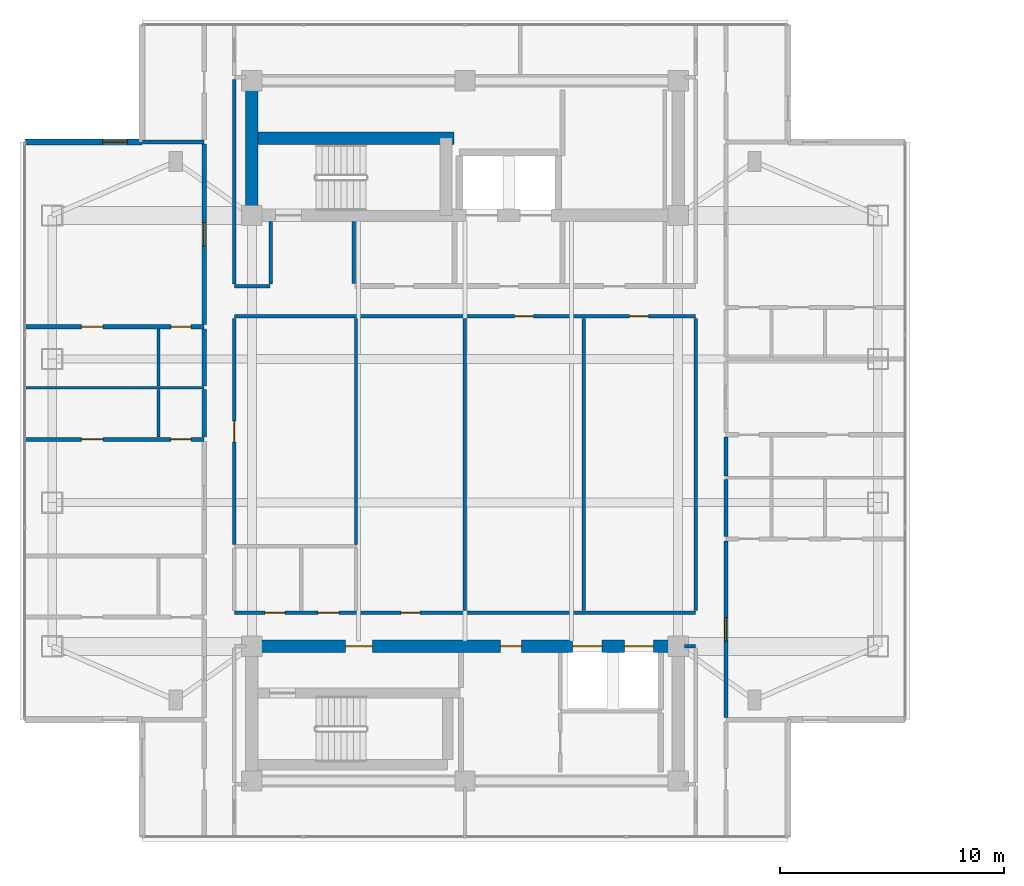
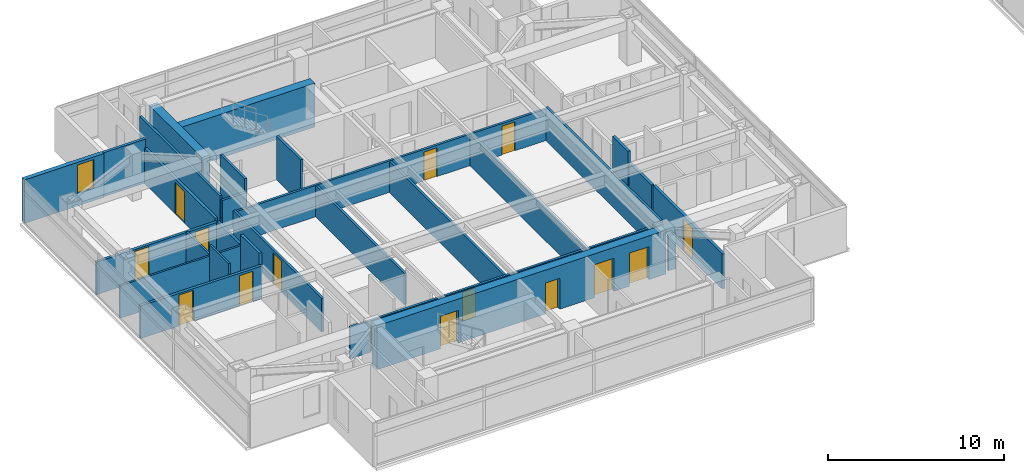
# One storey, part 13 of 24: 28 walls, 16 doors, 1 window, 17 openings.
"""IFC4 building model written with IfcOpenShell, lengths in metres."""

from ifc_helpers import new_model, si_unit, direction, frame, frame_2d, origin, place, context, subcontext, project, spatial, rectangle, extrude, material, layer, layer_set, type_object, element, fill, save


model = new_model("IFC4")

# Units and contexts
model_context = context("Model", 3, precision=1e-05, world=origin(), true_north=direction((0.0, 1.0)))
body_context = subcontext(model_context, "Body", "Model", "MODEL_VIEW")
ifc_project = project(units=[si_unit("LENGTHUNIT", "METRE"), si_unit("AREAUNIT", "SQUARE_METRE"), si_unit("VOLUMEUNIT", "CUBIC_METRE"), si_unit("PLANEANGLEUNIT", "RADIAN"), si_unit("MASSUNIT", "GRAM", prefix="KILO")], contexts=[model_context])

# Site, building, storey
site_placement = place(None, origin())
site = spatial("IfcSite", under=ifc_project, at=site_placement, CompositionType="ELEMENT")
building_placement = place(site_placement, origin())
building = spatial("IfcBuilding", under=site, at=building_placement, Name="Mirazonda Arch Towers", CompositionType="ELEMENT")
storey_placement = place(building_placement, frame((0.0, 0.0, 186.89990234375)))
storey = spatial("IfcBuildingStorey", under=building, at=storey_placement, Name="L53", CompositionType="ELEMENT", Elevation=186.89990234375)

# Walls
ifc_material_1 = material(Name="Concrete C50/60", Category="concrete")
ifc_layer_1 = layer(ifc_material_1, 0.550048828125, Name="WALL-CORE-550")
ifc_layer_set_1 = layer_set([ifc_layer_1], Name="Concrete C50/60")
wall_type_1 = type_object("IfcWallType", Name="WALL-CORE-550", PredefinedType="SHEAR", material=ifc_layer_set_1)
wall_1_placement = place(storey_placement, frame((11.0, 37.60009765625, 0.0), z_axis=(0.0, 0.0, 1.0), x_axis=(0.0, 1.0, 0.0)))
element("IfcWall", 1, at=wall_1_placement, inside=storey, type_object=wall_type_1, Name="L53 T1N-W Core Shear Wall", PredefinedType="SHEAR", context=body_context, shape_type="SweptSolid", body=[
    extrude(rectangle(XDim=6.0, YDim=0.550048828125, at=frame_2d((3.0, 0.0))), origin(), (0.0, 0.0, 1.0), 3.050048828125),
])
wall_2_placement = place(storey_placement, frame((11.0, 41.04296875, 0.0), z_axis=(0.0, 0.0, 1.0), x_axis=(1.0, 0.0, 0.0)))
element("IfcWall", 2, at=wall_2_placement, inside=storey, type_object=wall_type_1, Name="L53 T1N-STN Core Shear Wall", PredefinedType="SHEAR", context=body_context, shape_type="SweptSolid", body=[
    extrude(rectangle(XDim=9.0, YDim=0.550048828125, at=frame_2d((4.5, 0.0))), origin(), (0.0, 0.0, 1.0), 3.050048828125),
])

# Wall, openings, doors
wall_3_placement = place(storey_placement, frame((11.0, 18.39990234375, 0.0), z_axis=(0.0, 0.0, 1.0), x_axis=(1.0, 0.0, 0.0)))
wall_3 = element("IfcWall", 3, at=wall_3_placement, inside=storey, type_object=wall_type_1, Name="L53 T1S-N Core Shear Wall", PredefinedType="SHEAR", context=body_context, shape_type="SweptSolid", body=[
    extrude(rectangle(XDim=19.0, YDim=0.550048828125, at=frame_2d((9.5, 0.0))), origin(), (0.0, 0.0, 1.0), 3.050048828125),
])
opening_1_placement = place(wall_3_placement, frame((4.175048828125, 0.0, 0.0)))
opening_1 = element("IfcOpeningElement", 4, at=opening_1_placement, cuts=wall_3, Name="Opening DR-117", PredefinedType="OPENING", context=body_context, shape_type="SweptSolid", body=[
    extrude(rectangle(XDim=1.199951171875, YDim=2.25, at=frame_2d((0.60009765625, 1.125))), frame((0.0, 0.284912109375, 0.0), z_axis=(0.0, -1.0, 0.0), x_axis=(1.0, 0.0, 0.0)), (0.0, 0.0, 1.0), 0.570068359375),
])
opening_2_placement = place(wall_3_placement, frame((11.074951171875, 0.0, 0.0)))
opening_2 = element("IfcOpeningElement", 5, at=opening_2_placement, cuts=wall_3, Name="Opening DR-104", PredefinedType="OPENING", context=body_context, shape_type="SweptSolid", body=[
    extrude(rectangle(XDim=0.949951171875, YDim=2.14990234375, at=frame_2d((0.47509765625, 1.074951171875))), frame((0.0, 0.284912109375, 0.0), z_axis=(0.0, -1.0, 0.0), x_axis=(1.0, 0.0, 0.0)), (0.0, 0.0, 1.0), 0.570068359375),
])
opening_3_placement = place(wall_3_placement, frame((14.300048828125, 0.0, 0.0)))
opening_3 = element("IfcOpeningElement", 6, at=opening_3_placement, cuts=wall_3, Name="Opening LD-111", PredefinedType="OPENING", context=body_context, shape_type="SweptSolid", body=[
    extrude(rectangle(XDim=1.300048828125, YDim=2.300048828125, at=frame_2d((0.64990234375, 1.14990234375))), frame((0.0, 0.284912109375, 0.0), z_axis=(0.0, -1.0, 0.0), x_axis=(1.0, 0.0, 0.0)), (0.0, 0.0, 1.0), 0.570068359375),
])
opening_4_placement = place(wall_3_placement, frame((16.60009765625, 0.0, 0.0)))
opening_4 = element("IfcOpeningElement", 7, at=opening_4_placement, cuts=wall_3, Name="Opening LD-111", PredefinedType="OPENING", context=body_context, shape_type="SweptSolid", body=[
    extrude(rectangle(XDim=1.300048828125, YDim=2.300048828125, at=frame_2d((0.64990234375, 1.14990234375))), frame((0.0, 0.284912109375, 0.0), z_axis=(0.0, -1.0, 0.0), x_axis=(1.0, 0.0, 0.0)), (0.0, 0.0, 1.0), 0.570068359375),
])
ifc_material_2 = material(Name="Architectural Brushed Steel S355", Category="steel")
door_type_1 = type_object("IfcDoorType", Name="DOOR-FFL-FD90-1200", OperationType="NOTDEFINED", PredefinedType="DOOR", material=ifc_material_2)
door_1_placement = place(opening_1_placement, origin())
door_1 = element("IfcDoor", 8, at=door_1_placement, inside=storey, type_object=door_type_1, Name="L53 South Core Stair & Lift Lobby Door", OperationType="SINGLE_SWING_LEFT", OverallHeight=2.25, OverallWidth=1.199951171875, PredefinedType="DOOR", context=body_context, shape_type="SweptSolid", body=[
    extrude(rectangle(XDim=1.199951171875, YDim=2.25, at=frame_2d((0.60009765625, 1.125))), frame((0.0, 0.02490234375, 0.0), z_axis=(0.0, -1.0, 0.0), x_axis=(1.0, 0.0, 0.0)), (0.0, 0.0, 1.0), 0.050048828125),
])
fill(opening_1, door_1)
door_type_2 = type_object("IfcDoorType", Name="DOOR-LIFT-LAND-1300", OperationType="NOTDEFINED", PredefinedType="DOOR", material=ifc_material_2)
door_2_placement = place(opening_3_placement, origin())
door_2 = element("IfcDoor", 9, at=door_2_placement, inside=storey, type_object=door_type_2, Name="L53 Lift Landing Sliding Door PL-T1H1", OperationType="DOUBLE_DOOR_SLIDING", OverallHeight=2.300048828125, OverallWidth=1.300048828125, PredefinedType="DOOR", context=body_context, shape_type="SweptSolid", body=[
    extrude(rectangle(XDim=1.300048828125, YDim=2.300048828125, at=frame_2d((0.64990234375, 1.14990234375))), frame((0.0, 0.02490234375, 0.0), z_axis=(0.0, -1.0, 0.0), x_axis=(1.0, 0.0, 0.0)), (0.0, 0.0, 1.0), 0.050048828125),
])
fill(opening_3, door_2)
door_3_placement = place(opening_4_placement, origin())
door_3 = element("IfcDoor", 10, at=door_3_placement, inside=storey, type_object=door_type_2, Name="L53 Lift Landing Sliding Door PL-T1H2", OperationType="DOUBLE_DOOR_SLIDING", OverallHeight=2.300048828125, OverallWidth=1.300048828125, PredefinedType="DOOR", context=body_context, shape_type="SweptSolid", body=[
    extrude(rectangle(XDim=1.300048828125, YDim=2.300048828125, at=frame_2d((0.64990234375, 1.14990234375))), frame((0.0, 0.02490234375, 0.0), z_axis=(0.0, -1.0, 0.0), x_axis=(1.0, 0.0, 0.0)), (0.0, 0.0, 1.0), 0.050048828125),
])
fill(opening_4, door_3)
door_type_3 = type_object("IfcDoorType", Name="DOOR-ROOM-950", OperationType="NOTDEFINED", PredefinedType="DOOR", material=ifc_material_2)
door_4_placement = place(opening_2_placement, origin())
door_4 = element("IfcDoor", 11, at=door_4_placement, inside=storey, type_object=door_type_3, Name="L53 Residents Wine Tasting Lounge Door", OperationType="SINGLE_SWING_LEFT", OverallHeight=2.14990234375, OverallWidth=0.949951171875, PredefinedType="DOOR", context=body_context, shape_type="SweptSolid", body=[
    extrude(rectangle(XDim=0.949951171875, YDim=2.14990234375, at=frame_2d((0.47509765625, 1.074951171875))), frame((0.0, 0.02490234375, 0.0), z_axis=(0.0, -1.0, 0.0), x_axis=(1.0, 0.0, 0.0)), (0.0, 0.0, 1.0), 0.050048828125),
])
fill(opening_2, door_4)

# Wall, opening, window
ifc_material_3 = material(Name="Precast Concrete C40/50", Category="concrete")
ifc_layer_2 = layer(ifc_material_3, 0.280029296875, Name="WALL-EXT-WALL-280")
ifc_layer_set_2 = layer_set([ifc_layer_2], Name="Precast Concrete C40/50")
wall_type_2 = type_object("IfcWallType", Name="WALL-EXT-WALL-280", PredefinedType="SOLIDWALL", material=ifc_layer_set_2)
wall_4_placement = place(storey_placement, frame((6.10498046875, 40.873046875, 0.0), z_axis=(0.0, 0.0, 1.0), x_axis=(-1.0, 0.0, 0.0)))
wall_4 = element("IfcWall", 12, at=wall_4_placement, inside=storey, type_object=wall_type_2, Name="L53 T1 Corner Notch Return Wall WL-L53-T1-CNW1", PredefinedType="SOLIDWALL", context=body_context, shape_type="SweptSolid", body=[
    extrude(rectangle(XDim=5.215087890625, YDim=0.280029296875, at=frame_2d((2.607421875, 0.0))), origin(), (0.0, 0.0, 1.0), 3.030029296875),
])
opening_5_placement = place(wall_4_placement, frame((0.64990234375, 0.0, 0.85009765625)))
opening_5 = element("IfcOpeningElement", 13, at=opening_5_placement, cuts=wall_4, Name="Opening WN-108", PredefinedType="OPENING", context=body_context, shape_type="SweptSolid", body=[
    extrude(rectangle(XDim=1.10009765625, YDim=2.0, at=frame_2d((0.550048828125, 1.0))), frame((0.0, 0.14990234375, 0.0), z_axis=(0.0, -1.0, 0.0), x_axis=(1.0, 0.0, 0.0)), (0.0, 0.0, 1.0), 0.300048828125),
])
ifc_material_4 = material(Name="Insulated Low-E Solar Glass", Category="glass")
window_type = type_object("IfcWindowType", Name="WIN-NOTCH-1100x2000", PartitioningType="SINGLE_PANEL", PredefinedType="WINDOW", material=ifc_material_4)
window_placement = place(opening_5_placement, origin())
window = element("IfcWindow", 14, at=window_placement, inside=storey, type_object=window_type, Name="L53 Punched Facade Window WN-L53-T1-CNW1", OverallHeight=2.0, OverallWidth=1.10009765625, PartitioningType="SINGLE_PANEL", PredefinedType="WINDOW", context=body_context, shape_type="SweptSolid", body=[
    extrude(rectangle(XDim=1.10009765625, YDim=2.0, at=frame_2d((0.550048828125, 1.0))), frame((0.0, 0.030029296875, 0.0), z_axis=(0.0, -1.0, 0.0), x_axis=(1.0, 0.0, 0.0)), (0.0, 0.0, 1.0), 0.06005859375),
])
fill(opening_5, window)

# Wall
ifc_material_5 = material(Name="Fire-Rated Gypsum Stud Partition")
ifc_layer_3 = layer(ifc_material_5, 0.14990234375, Name="WALL-PART-CORR-150")
ifc_layer_set_3 = layer_set([ifc_layer_3], Name="Fire-Rated Gypsum Stud Partition")
wall_type_3 = type_object("IfcWallType", Name="WALL-PART-CORR-150", PredefinedType="PARTITIONING", material=ifc_layer_set_3)
wall_5_placement = place(storey_placement, frame((30.27001953125, 18.39990234375, 0.0), z_axis=(0.0, 0.0, 1.0), x_axis=(1.0, 0.0, 0.0)))
element("IfcWall", 15, at=wall_5_placement, inside=storey, type_object=wall_type_3, Name="L53 Interior Partition 012", PredefinedType="PARTITIONING", context=body_context, shape_type="SweptSolid", body=[
    extrude(rectangle(XDim=0.510009765625, YDim=0.14990234375, at=frame_2d((0.2548828125, 0.0))), origin(), (0.0, 0.0, 1.0), 2.442138671875),
])

# Wall, openings, doors
wall_6_placement = place(storey_placement, frame((10.219970703125, 19.89990234375, 0.0), z_axis=(0.0, 0.0, 1.0), x_axis=(1.0, 0.0, 0.0)))
wall_6 = element("IfcWall", 16, at=wall_6_placement, inside=storey, type_object=wall_type_3, Name="L53 Interior Partition 015", PredefinedType="PARTITIONING", context=body_context, shape_type="SweptSolid", body=[
    extrude(rectangle(XDim=20.56005859375, YDim=0.14990234375, at=frame_2d((10.280029296875, 0.0))), origin(), (0.0, 0.0, 1.0), 2.18603515625),
])
opening_6_placement = place(wall_6_placement, frame((1.360107421875, 0.0, 0.0)))
opening_6 = element("IfcOpeningElement", 17, at=opening_6_placement, cuts=wall_6, Name="Opening DR-120", PredefinedType="OPENING", context=body_context, shape_type="SweptSolid", body=[
    extrude(rectangle(XDim=0.89990234375, YDim=2.10009765625, at=frame_2d((0.449951171875, 1.050048828125))), frame((0.0, 0.0849609375, 0.0), z_axis=(0.0, -1.0, 0.0), x_axis=(1.0, 0.0, 0.0)), (0.0, 0.0, 1.0), 0.169921875),
])
opening_7_placement = place(wall_6_placement, frame((3.72509765625, 0.0, 0.0)))
opening_7 = element("IfcOpeningElement", 18, at=opening_7_placement, cuts=wall_6, Name="Opening DR-104", PredefinedType="OPENING", context=body_context, shape_type="SweptSolid", body=[
    extrude(rectangle(XDim=0.949951171875, YDim=2.14990234375, at=frame_2d((0.47509765625, 1.074951171875))), frame((0.0, 0.0849609375, 0.0), z_axis=(0.0, -1.0, 0.0), x_axis=(1.0, 0.0, 0.0)), (0.0, 0.0, 1.0), 0.169921875),
])
opening_8_placement = place(wall_6_placement, frame((7.41748046875, 0.0, 0.0)))
opening_8 = element("IfcOpeningElement", 19, at=opening_8_placement, cuts=wall_6, Name="Opening DR-128", PredefinedType="OPENING", context=body_context, shape_type="SweptSolid", body=[
    extrude(rectangle(XDim=0.85009765625, YDim=2.010009765625, at=frame_2d((0.425048828125, 1.0048828125))), frame((0.0, 0.0849609375, 0.0), z_axis=(0.0, -1.0, 0.0), x_axis=(1.0, 0.0, 0.0)), (0.0, 0.0, 1.0), 0.169921875),
])
door_type_4 = type_object("IfcDoorType", Name="DOOR-RISER-FD60-850", OperationType="NOTDEFINED", PredefinedType="DOOR", material=ifc_material_2)
door_5_placement = place(opening_8_placement, origin())
door_5 = element("IfcDoor", 20, at=door_5_placement, inside=storey, type_object=door_type_4, Name="L53 Residents Private Library Door", OperationType="SINGLE_SWING_RIGHT", OverallHeight=2.010009765625, OverallWidth=0.85009765625, PredefinedType="DOOR", context=body_context, shape_type="SweptSolid", body=[
    extrude(rectangle(XDim=0.85009765625, YDim=2.010009765625, at=frame_2d((0.425048828125, 1.0048828125))), frame((0.0, 0.02490234375, 0.0), z_axis=(0.0, -1.0, 0.0), x_axis=(1.0, 0.0, 0.0)), (0.0, 0.0, 1.0), 0.050048828125),
])
fill(opening_8, door_5)
door_6_placement = place(opening_7_placement, origin())
door_6 = element("IfcDoor", 21, at=door_6_placement, inside=storey, type_object=door_type_3, Name="L53 L53 West Courtyard Study Door", OperationType="SINGLE_SWING_RIGHT", OverallHeight=2.14990234375, OverallWidth=0.949951171875, PredefinedType="DOOR", context=body_context, shape_type="SweptSolid", body=[
    extrude(rectangle(XDim=0.949951171875, YDim=2.14990234375, at=frame_2d((0.47509765625, 1.074951171875))), frame((0.0, 0.02490234375, 0.0), z_axis=(0.0, -1.0, 0.0), x_axis=(1.0, 0.0, 0.0)), (0.0, 0.0, 1.0), 0.050048828125),
])
fill(opening_7, door_6)
door_type_5 = type_object("IfcDoorType", Name="DOOR-WC-900", OperationType="NOTDEFINED", PredefinedType="DOOR", material=ifc_material_2)
door_7_placement = place(opening_6_placement, origin())
door_7 = element("IfcDoor", 22, at=door_7_placement, inside=storey, type_object=door_type_5, Name="L53 Common Accessible WC Door", OperationType="SINGLE_SWING_LEFT", OverallHeight=2.10009765625, OverallWidth=0.89990234375, PredefinedType="DOOR", context=body_context, shape_type="SweptSolid", body=[
    extrude(rectangle(XDim=0.89990234375, YDim=2.10009765625, at=frame_2d((0.449951171875, 1.050048828125))), frame((0.0, 0.02490234375, 0.0), z_axis=(0.0, -1.0, 0.0), x_axis=(1.0, 0.0, 0.0)), (0.0, 0.0, 1.0), 0.050048828125),
])
fill(opening_6, door_7)

wall_7_placement = place(storey_placement, frame((10.219970703125, 33.10009765625, 0.0), z_axis=(0.0, 0.0, 1.0), x_axis=(1.0, 0.0, 0.0)))
wall_7 = element("IfcWall", 23, at=wall_7_placement, inside=storey, type_object=wall_type_3, Name="L53 Interior Partition 046", PredefinedType="PARTITIONING", context=body_context, shape_type="SweptSolid", body=[
    extrude(rectangle(XDim=20.56005859375, YDim=0.14990234375, at=frame_2d((10.280029296875, 0.0))), origin(), (0.0, 0.0, 1.0), 2.18603515625),
])
opening_9_placement = place(wall_7_placement, frame((12.489501953125, 0.0, 0.0)))
opening_9 = element("IfcOpeningElement", 24, at=opening_9_placement, cuts=wall_7, Name="Opening DR-128", PredefinedType="OPENING", context=body_context, shape_type="SweptSolid", body=[
    extrude(rectangle(XDim=0.85009765625, YDim=2.010009765625, at=frame_2d((0.425048828125, 1.0048828125))), frame((0.0, 0.0849609375, 0.0), z_axis=(0.0, -1.0, 0.0), x_axis=(1.0, 0.0, 0.0)), (0.0, 0.0, 1.0), 0.169921875),
])
opening_10_placement = place(wall_7_placement, frame((17.616943359375, 0.0, 0.0)))
opening_10 = element("IfcOpeningElement", 25, at=opening_10_placement, cuts=wall_7, Name="Opening DR-128", PredefinedType="OPENING", context=body_context, shape_type="SweptSolid", body=[
    extrude(rectangle(XDim=0.85009765625, YDim=2.010009765625, at=frame_2d((0.425048828125, 1.0048828125))), frame((0.0, 0.0849609375, 0.0), z_axis=(0.0, -1.0, 0.0), x_axis=(1.0, 0.0, 0.0)), (0.0, 0.0, 1.0), 0.169921875),
])
door_8_placement = place(opening_9_placement, origin())
door_8 = element("IfcDoor", 26, at=door_8_placement, inside=storey, type_object=door_type_4, Name="L53 Private Dining Room Door", OperationType="SINGLE_SWING_LEFT", OverallHeight=2.010009765625, OverallWidth=0.85009765625, PredefinedType="DOOR", context=body_context, shape_type="SweptSolid", body=[
    extrude(rectangle(XDim=0.85009765625, YDim=2.010009765625, at=frame_2d((0.425048828125, 1.0048828125))), frame((0.0, 0.02490234375, 0.0), z_axis=(0.0, -1.0, 0.0), x_axis=(1.0, 0.0, 0.0)), (0.0, 0.0, 1.0), 0.050048828125),
])
fill(opening_9, door_8)
door_9_placement = place(opening_10_placement, origin())
door_9 = element("IfcDoor", 27, at=door_9_placement, inside=storey, type_object=door_type_4, Name="L53 Collectors Gallery Study Door", OperationType="SINGLE_SWING_RIGHT", OverallHeight=2.010009765625, OverallWidth=0.85009765625, PredefinedType="DOOR", context=body_context, shape_type="SweptSolid", body=[
    extrude(rectangle(XDim=0.85009765625, YDim=2.010009765625, at=frame_2d((0.425048828125, 1.0048828125))), frame((0.0, 0.02490234375, 0.0), z_axis=(0.0, -1.0, 0.0), x_axis=(1.0, 0.0, 0.0)), (0.0, 0.0, 1.0), 0.050048828125),
])
fill(opening_10, door_9)

# Wall
wall_8_placement = place(storey_placement, frame((10.219970703125, 34.449951171875, 0.0), z_axis=(0.0, 0.0, 1.0), x_axis=(1.0, 0.0, 0.0)))
element("IfcWall", 28, at=wall_8_placement, inside=storey, type_object=wall_type_3, Name="L53 Interior Partition 048", PredefinedType="PARTITIONING", context=body_context, shape_type="SweptSolid", body=[
    extrude(rectangle(XDim=1.580078125, YDim=0.14990234375, at=frame_2d((0.7900390625, 0.0))), origin(), (0.0, 0.0, 1.0), 2.18603515625),
])

# Wall, opening, door
wall_9_placement = place(storey_placement, frame((10.219970703125, 22.93505859375, 0.0), z_axis=(0.0, 0.0, 1.0), x_axis=(0.0, 1.0, 0.0)))
wall_9 = element("IfcWall", 29, at=wall_9_placement, inside=storey, type_object=wall_type_3, Name="L53 Interior Partition 075", PredefinedType="PARTITIONING", context=body_context, shape_type="SweptSolid", body=[
    extrude(rectangle(XDim=10.079833984375, YDim=0.14990234375, at=frame_2d((5.0400390625, 0.0))), origin(), (0.0, 0.0, 1.0), 2.34619140625),
])
opening_11_placement = place(wall_9_placement, frame((4.56494140625, 0.0, 0.0)))
opening_11 = element("IfcOpeningElement", 30, at=opening_11_placement, cuts=wall_9, Name="Opening DR-104", PredefinedType="OPENING", context=body_context, shape_type="SweptSolid", body=[
    extrude(rectangle(XDim=0.949951171875, YDim=2.14990234375, at=frame_2d((0.47509765625, 1.074951171875))), frame((0.0, 0.0849609375, 0.0), z_axis=(0.0, -1.0, 0.0), x_axis=(1.0, 0.0, 0.0)), (0.0, 0.0, 1.0), 0.169921875),
])
door_10_placement = place(opening_11_placement, origin())
door_10 = element("IfcDoor", 31, at=door_10_placement, inside=storey, type_object=door_type_3, Name="L53 L53 West Courtyard Salon Door", OperationType="SINGLE_SWING_LEFT", OverallHeight=2.14990234375, OverallWidth=0.949951171875, PredefinedType="DOOR", context=body_context, shape_type="SweptSolid", body=[
    extrude(rectangle(XDim=0.949951171875, YDim=2.14990234375, at=frame_2d((0.47509765625, 1.074951171875))), frame((0.0, 0.02490234375, 0.0), z_axis=(0.0, -1.0, 0.0), x_axis=(1.0, 0.0, 0.0)), (0.0, 0.0, 1.0), 0.050048828125),
])
fill(opening_11, door_10)

# Walls
wall_10_placement = place(storey_placement, frame((10.219970703125, 34.534912109375, 0.0), z_axis=(0.0, 0.0, 1.0), x_axis=(0.0, 1.0, 0.0)))
element("IfcWall", 32, at=wall_10_placement, inside=storey, type_object=wall_type_3, Name="L53 Interior Partition 076", PredefinedType="PARTITIONING", context=body_context, shape_type="SweptSolid", body=[
    extrude(rectangle(XDim=9.130126953125, YDim=0.14990234375, at=frame_2d((4.56494140625, 0.0))), origin(), (0.0, 0.0, 1.0), 2.442138671875),
])
wall_11_placement = place(storey_placement, frame((11.85009765625, 34.534912109375, 0.0), z_axis=(0.0, 0.0, 1.0), x_axis=(0.0, 1.0, 0.0)))
element("IfcWall", 33, at=wall_11_placement, inside=storey, type_object=wall_type_3, Name="L53 Interior Partition 078", PredefinedType="PARTITIONING", context=body_context, shape_type="SweptSolid", body=[
    extrude(rectangle(XDim=2.795166015625, YDim=0.14990234375, at=frame_2d((1.3974609375, 0.0))), origin(), (0.0, 0.0, 1.0), 3.050048828125),
])
wall_12_placement = place(storey_placement, frame((15.639892578125, 22.93505859375, 0.0), z_axis=(0.0, 0.0, 1.0), x_axis=(0.0, 1.0, 0.0)))
element("IfcWall", 34, at=wall_12_placement, inside=storey, type_object=wall_type_3, Name="L53 Interior Partition 081", PredefinedType="PARTITIONING", context=body_context, shape_type="SweptSolid", body=[
    extrude(rectangle(XDim=10.079833984375, YDim=0.14990234375, at=frame_2d((5.0400390625, 0.0))), origin(), (0.0, 0.0, 1.0), 2.18603515625),
])
wall_13_placement = place(storey_placement, frame((15.550048828125, 34.570068359375, 0.0), z_axis=(0.0, 0.0, 1.0), x_axis=(0.0, 1.0, 0.0)))
element("IfcWall", 35, at=wall_13_placement, inside=storey, type_object=wall_type_3, Name="L53 Interior Partition 082", PredefinedType="PARTITIONING", context=body_context, shape_type="SweptSolid", body=[
    extrude(rectangle(XDim=2.760009765625, YDim=0.14990234375, at=frame_2d((1.3798828125, 0.0))), origin(), (0.0, 0.0, 1.0), 3.050048828125),
])
for number, where, z_axis, x_axis, name in (
    (36, (20.485107421875, 19.985107421875, 0.0), (0.0, 0.0, 1.0), (0.0, 1.0, 0.0), "L53 Interior Partition 089"),
    (37, (25.783935546875, 19.985107421875, 0.0), (0.0, 0.0, 1.0), (0.0, 1.0, 0.0), "L53 Interior Partition 096"),
):
    element("IfcWall", number, at=place(storey_placement, frame(where, z_axis=z_axis, x_axis=x_axis)), inside=storey, type_object=wall_type_3, Name=name, PredefinedType="PARTITIONING", context=body_context, shape_type="SweptSolid", body=[
        extrude(rectangle(XDim=13.02978515625, YDim=0.14990234375, at=frame_2d((6.514892578125, 0.0))), origin(), (0.0, 0.0, 1.0), 2.18603515625),
    ])
wall_14_placement = place(storey_placement, frame((30.780029296875, 19.985107421875, 0.0), z_axis=(0.0, 0.0, 1.0), x_axis=(0.0, 1.0, 0.0)))
element("IfcWall", 38, at=wall_14_placement, inside=storey, type_object=wall_type_3, Name="L53 Interior Partition 103", PredefinedType="PARTITIONING", context=body_context, shape_type="SweptSolid", body=[
    extrude(rectangle(XDim=13.02978515625, YDim=0.14990234375, at=frame_2d((6.514892578125, 0.0))), origin(), (0.0, 0.0, 1.0), 2.34619140625),
])

# Wall, openings, doors
ifc_material_6 = material(Name="Fire-Rated Gypsum Twin-Stud Assembly")
ifc_layer_4 = layer(ifc_material_6, 0.179931640625, Name="WALL-PART-DEMISE-180")
ifc_layer_set_4 = layer_set([ifc_layer_4], Name="Fire-Rated Gypsum Twin-Stud Assembly")
wall_type_4 = type_object("IfcWallType", Name="WALL-PART-DEMISE-180", PredefinedType="PARTITIONING", material=ifc_layer_set_4)
wall_15_placement = place(storey_placement, frame((0.889892578125, 27.618896484375, 0.0), z_axis=(0.0, 0.0, 1.0), x_axis=(1.0, 0.0, 0.0)))
wall_15 = element("IfcWall", 39, at=wall_15_placement, inside=storey, type_object=wall_type_4, Name="L53 Interior Partition 034", PredefinedType="PARTITIONING", context=body_context, shape_type="SweptSolid", body=[
    extrude(rectangle(XDim=7.989990234375, YDim=0.179931640625, at=frame_2d((3.9951171875, 0.0))), origin(), (0.0, 0.0, 1.0), 2.26904296875),
])
opening_12_placement = place(wall_15_placement, frame((2.52001953125, 0.0, 0.0)))
opening_12 = element("IfcOpeningElement", 40, at=opening_12_placement, cuts=wall_15, Name="Opening DR-104", PredefinedType="OPENING", context=body_context, shape_type="SweptSolid", body=[
    extrude(rectangle(XDim=0.949951171875, YDim=2.14990234375, at=frame_2d((0.47509765625, 1.074951171875))), frame((0.0, 0.099853515625, 0.0), z_axis=(0.0, -1.0, 0.0), x_axis=(1.0, 0.0, 0.0)), (0.0, 0.0, 1.0), 0.199951171875),
])
opening_13_placement = place(wall_15_placement, frame((6.5, 0.0, 0.0)))
opening_13 = element("IfcOpeningElement", 41, at=opening_13_placement, cuts=wall_15, Name="Opening DR-120", PredefinedType="OPENING", context=body_context, shape_type="SweptSolid", body=[
    extrude(rectangle(XDim=0.89990234375, YDim=2.10009765625, at=frame_2d((0.449951171875, 1.050048828125))), frame((0.0, 0.099853515625, 0.0), z_axis=(0.0, -1.0, 0.0), x_axis=(1.0, 0.0, 0.0)), (0.0, 0.0, 1.0), 0.199951171875),
])
door_11_placement = place(opening_12_placement, origin())
door_11 = element("IfcDoor", 42, at=door_11_placement, inside=storey, type_object=door_type_3, Name="L53 Studio 2 Galley Kitchen Door", OperationType="SINGLE_SWING_RIGHT", OverallHeight=2.14990234375, OverallWidth=0.949951171875, PredefinedType="DOOR", context=body_context, shape_type="SweptSolid", body=[
    extrude(rectangle(XDim=0.949951171875, YDim=2.14990234375, at=frame_2d((0.47509765625, 1.074951171875))), frame((0.0, 0.02490234375, 0.0), z_axis=(0.0, -1.0, 0.0), x_axis=(1.0, 0.0, 0.0)), (0.0, 0.0, 1.0), 0.050048828125),
])
fill(opening_12, door_11)
door_12_placement = place(opening_13_placement, origin())
door_12 = element("IfcDoor", 43, at=door_12_placement, inside=storey, type_object=door_type_5, Name="L53 Studio 2 Bathroom Door", OperationType="SINGLE_SWING_LEFT", OverallHeight=2.10009765625, OverallWidth=0.89990234375, PredefinedType="DOOR", context=body_context, shape_type="SweptSolid", body=[
    extrude(rectangle(XDim=0.89990234375, YDim=2.10009765625, at=frame_2d((0.449951171875, 1.050048828125))), frame((0.0, 0.02490234375, 0.0), z_axis=(0.0, -1.0, 0.0), x_axis=(1.0, 0.0, 0.0)), (0.0, 0.0, 1.0), 0.050048828125),
])
fill(opening_13, door_12)

wall_16_placement = place(storey_placement, frame((0.889892578125, 32.638916015625, 0.0), z_axis=(0.0, 0.0, 1.0), x_axis=(1.0, 0.0, 0.0)))
wall_16 = element("IfcWall", 44, at=wall_16_placement, inside=storey, type_object=wall_type_4, Name="L53 Interior Partition 045", PredefinedType="PARTITIONING", context=body_context, shape_type="SweptSolid", body=[
    extrude(rectangle(XDim=7.989990234375, YDim=0.179931640625, at=frame_2d((3.9951171875, 0.0))), origin(), (0.0, 0.0, 1.0), 2.26904296875),
])
opening_14_placement = place(wall_16_placement, frame((2.52001953125, 0.0, 0.0)))
opening_14 = element("IfcOpeningElement", 45, at=opening_14_placement, cuts=wall_16, Name="Opening DR-104", PredefinedType="OPENING", context=body_context, shape_type="SweptSolid", body=[
    extrude(rectangle(XDim=0.949951171875, YDim=2.14990234375, at=frame_2d((0.47509765625, 1.074951171875))), frame((0.0, 0.099853515625, 0.0), z_axis=(0.0, -1.0, 0.0), x_axis=(1.0, 0.0, 0.0)), (0.0, 0.0, 1.0), 0.199951171875),
])
opening_15_placement = place(wall_16_placement, frame((6.5, 0.0, 0.0)))
opening_15 = element("IfcOpeningElement", 46, at=opening_15_placement, cuts=wall_16, Name="Opening DR-120", PredefinedType="OPENING", context=body_context, shape_type="SweptSolid", body=[
    extrude(rectangle(XDim=0.89990234375, YDim=2.10009765625, at=frame_2d((0.449951171875, 1.050048828125))), frame((0.0, 0.099853515625, 0.0), z_axis=(0.0, -1.0, 0.0), x_axis=(1.0, 0.0, 0.0)), (0.0, 0.0, 1.0), 0.199951171875),
])
door_13_placement = place(opening_14_placement, origin())
door_13 = element("IfcDoor", 47, at=door_13_placement, inside=storey, type_object=door_type_3, Name="L53 Studio 3 Galley Kitchen Door", OperationType="SINGLE_SWING_LEFT", OverallHeight=2.14990234375, OverallWidth=0.949951171875, PredefinedType="DOOR", context=body_context, shape_type="SweptSolid", body=[
    extrude(rectangle(XDim=0.949951171875, YDim=2.14990234375, at=frame_2d((0.47509765625, 1.074951171875))), frame((0.0, 0.02490234375, 0.0), z_axis=(0.0, -1.0, 0.0), x_axis=(1.0, 0.0, 0.0)), (0.0, 0.0, 1.0), 0.050048828125),
])
fill(opening_14, door_13)
door_14_placement = place(opening_15_placement, origin())
door_14 = element("IfcDoor", 48, at=door_14_placement, inside=storey, type_object=door_type_5, Name="L53 Studio 3 Bathroom Door", OperationType="SINGLE_SWING_RIGHT", OverallHeight=2.10009765625, OverallWidth=0.89990234375, PredefinedType="DOOR", context=body_context, shape_type="SweptSolid", body=[
    extrude(rectangle(XDim=0.89990234375, YDim=2.10009765625, at=frame_2d((0.449951171875, 1.050048828125))), frame((0.0, 0.02490234375, 0.0), z_axis=(0.0, -1.0, 0.0), x_axis=(1.0, 0.0, 0.0)), (0.0, 0.0, 1.0), 0.050048828125),
])
fill(opening_15, door_14)

# Walls
wall_17_placement = place(storey_placement, frame((6.125, 40.873046875, 0.0), z_axis=(0.0, 0.0, 1.0), x_axis=(1.0, 0.0, 0.0)))
element("IfcWall", 49, at=wall_17_placement, inside=storey, type_object=wall_type_4, Name="L53 Interior Partition 057", PredefinedType="PARTITIONING", context=body_context, shape_type="SweptSolid", body=[
    extrude(rectangle(XDim=2.7548828125, YDim=0.179931640625, at=frame_2d((1.37744140625, 0.0))), origin(), (0.0, 0.0, 1.0), 3.050048828125),
])
wall_18_placement = place(storey_placement, frame((8.8798828125, 27.718994140625, 0.0), z_axis=(0.0, 0.0, 1.0), x_axis=(0.0, 1.0, 0.0)))
element("IfcWall", 50, at=wall_18_placement, inside=storey, type_object=wall_type_4, Name="L53 Interior Partition 068", PredefinedType="PARTITIONING", context=body_context, shape_type="SweptSolid", body=[
    extrude(rectangle(XDim=2.12744140625, YDim=0.179931640625, at=frame_2d((1.063720703125, 0.0))), origin(), (0.0, 0.0, 1.0), 3.050048828125),
])
wall_19_placement = place(storey_placement, frame((8.8798828125, 29.991455078125, 0.0), z_axis=(0.0, 0.0, 1.0), x_axis=(0.0, 1.0, 0.0)))
element("IfcWall", 51, at=wall_19_placement, inside=storey, type_object=wall_type_4, Name="L53 Interior Partition 069", PredefinedType="PARTITIONING", context=body_context, shape_type="SweptSolid", body=[
    extrude(rectangle(XDim=2.547607421875, YDim=0.179931640625, at=frame_2d((1.27392578125, 0.0))), origin(), (0.0, 0.0, 1.0), 2.34619140625),
])

# Wall, opening, door
wall_20_placement = place(storey_placement, frame((8.8798828125, 32.739013671875, 0.0), z_axis=(0.0, 0.0, 1.0), x_axis=(0.0, 1.0, 0.0)))
wall_20 = element("IfcWall", 52, at=wall_20_placement, inside=storey, type_object=wall_type_4, Name="L53 Interior Partition 070", PredefinedType="PARTITIONING", context=body_context, shape_type="SweptSolid", body=[
    extrude(rectangle(XDim=8.033935546875, YDim=0.179931640625, at=frame_2d((4.01708984375, 0.0))), origin(), (0.0, 0.0, 1.0), 2.442138671875),
])
opening_16_placement = place(wall_20_placement, frame((3.491943359375, 0.0, 0.0)))
opening_16 = element("IfcOpeningElement", 53, at=opening_16_placement, cuts=wall_20, Name="Opening DR-121", PredefinedType="OPENING", context=body_context, shape_type="SweptSolid", body=[
    extrude(rectangle(XDim=1.050048828125, YDim=2.199951171875, at=frame_2d((0.52490234375, 1.10009765625))), frame((0.0, 0.099853515625, 0.0), z_axis=(0.0, -1.0, 0.0), x_axis=(1.0, 0.0, 0.0)), (0.0, 0.0, 1.0), 0.199951171875),
])
door_type_6 = type_object("IfcDoorType", Name="DOOR-SUITE-FD60-1050", OperationType="NOTDEFINED", PredefinedType="DOOR", material=ifc_material_2)
door_15_placement = place(opening_16_placement, origin())
door_15 = element("IfcDoor", 54, at=door_15_placement, inside=storey, type_object=door_type_6, Name="L53 Studio Apartment 3 Living Salon Door", OperationType="SINGLE_SWING_RIGHT", OverallHeight=2.199951171875, OverallWidth=1.050048828125, PredefinedType="DOOR", context=body_context, shape_type="SweptSolid", body=[
    extrude(rectangle(XDim=1.050048828125, YDim=2.199951171875, at=frame_2d((0.52490234375, 1.10009765625))), frame((0.0, 0.02490234375, 0.0), z_axis=(0.0, -1.0, 0.0), x_axis=(1.0, 0.0, 0.0)), (0.0, 0.0, 1.0), 0.050048828125),
])
fill(opening_16, door_15)

wall_21_placement = place(storey_placement, frame((32.1201171875, 15.22705078125, 0.0), z_axis=(0.0, 0.0, 1.0), x_axis=(0.0, 1.0, 0.0)))
wall_21 = element("IfcWall", 55, at=wall_21_placement, inside=storey, type_object=wall_type_4, Name="L53 Interior Partition 107", PredefinedType="PARTITIONING", context=body_context, shape_type="SweptSolid", body=[
    extrude(rectangle(XDim=7.85888671875, YDim=0.179931640625, at=frame_2d((3.929443359375, 0.0))), origin(), (0.0, 0.0, 1.0), 2.442138671875),
])
opening_17_placement = place(wall_21_placement, frame((3.404541015625, 0.0, 0.0)))
opening_17 = element("IfcOpeningElement", 56, at=opening_17_placement, cuts=wall_21, Name="Opening DR-121", PredefinedType="OPENING", context=body_context, shape_type="SweptSolid", body=[
    extrude(rectangle(XDim=1.050048828125, YDim=2.199951171875, at=frame_2d((0.52490234375, 1.10009765625))), frame((0.0, 0.099853515625, 0.0), z_axis=(0.0, -1.0, 0.0), x_axis=(1.0, 0.0, 0.0)), (0.0, 0.0, 1.0), 0.199951171875),
])
door_16_placement = place(opening_17_placement, origin())
door_16 = element("IfcDoor", 57, at=door_16_placement, inside=storey, type_object=door_type_6, Name="L53 Residence 1 Living & Dining Salon Door", OperationType="SINGLE_SWING_LEFT", OverallHeight=2.199951171875, OverallWidth=1.050048828125, PredefinedType="DOOR", context=body_context, shape_type="SweptSolid", body=[
    extrude(rectangle(XDim=1.050048828125, YDim=2.199951171875, at=frame_2d((0.52490234375, 1.10009765625))), frame((0.0, 0.02490234375, 0.0), z_axis=(0.0, -1.0, 0.0), x_axis=(1.0, 0.0, 0.0)), (0.0, 0.0, 1.0), 0.050048828125),
])
fill(opening_17, door_16)

# Walls
wall_22_placement = place(storey_placement, frame((32.1201171875, 23.285888671875, 0.0), z_axis=(0.0, 0.0, 1.0), x_axis=(0.0, 1.0, 0.0)))
element("IfcWall", 58, at=wall_22_placement, inside=storey, type_object=wall_type_4, Name="L53 Interior Partition 108", PredefinedType="PARTITIONING", context=body_context, shape_type="SweptSolid", body=[
    extrude(rectangle(XDim=2.547607421875, YDim=0.179931640625, at=frame_2d((1.27392578125, 0.0))), origin(), (0.0, 0.0, 1.0), 2.34619140625),
])
wall_23_placement = place(storey_placement, frame((32.1201171875, 25.978515625, 0.0), z_axis=(0.0, 0.0, 1.0), x_axis=(0.0, 1.0, 0.0)))
element("IfcWall", 59, at=wall_23_placement, inside=storey, type_object=wall_type_4, Name="L53 Interior Partition 109", PredefinedType="PARTITIONING", context=body_context, shape_type="SweptSolid", body=[
    extrude(rectangle(XDim=1.74755859375, YDim=0.179931640625, at=frame_2d((0.873779296875, 0.0))), origin(), (0.0, 0.0, 1.0), 3.050048828125),
])
ifc_material_7 = material(Name="Acoustic Fire-Rated Gypsum Partition")
ifc_layer_5 = layer(ifc_material_7, 0.125, Name="WALL-PART-UNIT-125")
ifc_layer_set_5 = layer_set([ifc_layer_5], Name="Acoustic Fire-Rated Gypsum Partition")
wall_type_5 = type_object("IfcWallType", Name="WALL-PART-UNIT-125", PredefinedType="PARTITIONING", material=ifc_layer_set_5)
wall_24_placement = place(storey_placement, frame((0.889892578125, 29.9189453125, 0.0), z_axis=(0.0, 0.0, 1.0), x_axis=(1.0, 0.0, 0.0)))
element("IfcWall", 60, at=wall_24_placement, inside=storey, type_object=wall_type_5, Name="L53 Interior Partition 038", PredefinedType="PARTITIONING", context=body_context, shape_type="SweptSolid", body=[
    extrude(rectangle(XDim=7.989990234375, YDim=0.125, at=frame_2d((3.9951171875, 0.0))), origin(), (0.0, 0.0, 1.0), 2.26904296875),
])
wall_25_placement = place(storey_placement, frame((6.840087890625, 27.718994140625, 0.0), z_axis=(0.0, 0.0, 1.0), x_axis=(0.0, 1.0, 0.0)))
element("IfcWall", 61, at=wall_25_placement, inside=storey, type_object=wall_type_5, Name="L53 Interior Partition 062", PredefinedType="PARTITIONING", context=body_context, shape_type="SweptSolid", body=[
    extrude(rectangle(XDim=2.12744140625, YDim=0.125, at=frame_2d((1.063720703125, 0.0))), origin(), (0.0, 0.0, 1.0), 3.050048828125),
])
wall_26_placement = place(storey_placement, frame((6.840087890625, 29.991455078125, 0.0), z_axis=(0.0, 0.0, 1.0), x_axis=(0.0, 1.0, 0.0)))
element("IfcWall", 62, at=wall_26_placement, inside=storey, type_object=wall_type_5, Name="L53 Interior Partition 063", PredefinedType="PARTITIONING", context=body_context, shape_type="SweptSolid", body=[
    extrude(rectangle(XDim=2.547607421875, YDim=0.125, at=frame_2d((1.27392578125, 0.0))), origin(), (0.0, 0.0, 1.0), 2.34619140625),
])

save(model, "model.ifc")
